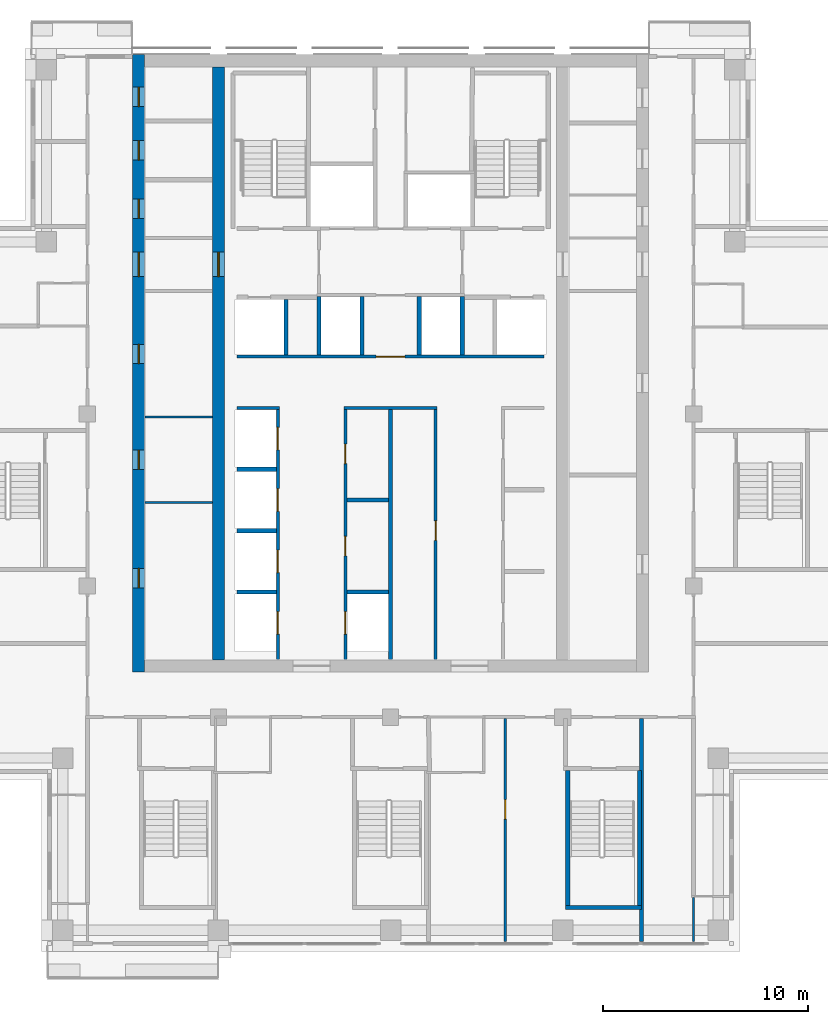
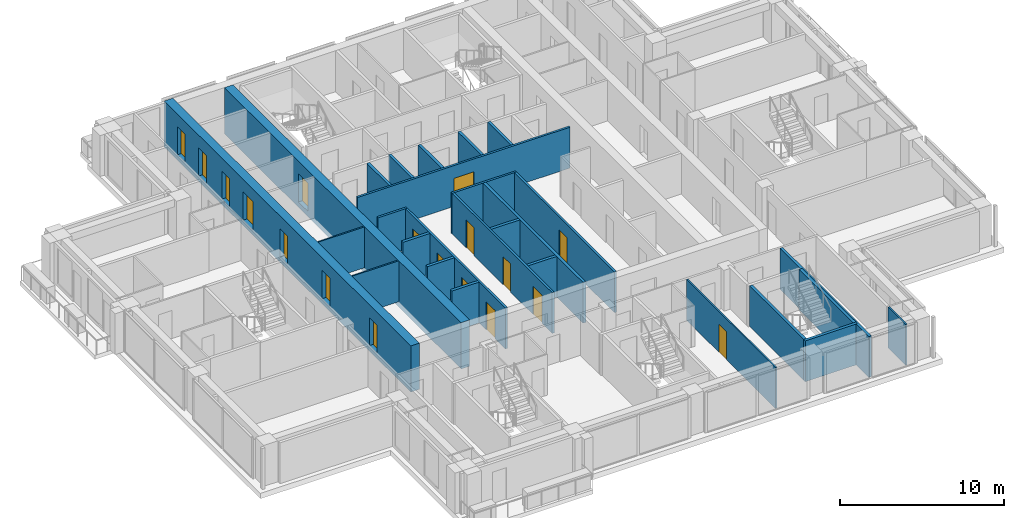
# One storey, part 9 of 16: 27 walls, 18 doors, 18 openings.
"""IFC4 building model written with IfcOpenShell, lengths in metres."""

from ifc_helpers import new_model, si_unit, direction, frame, frame_2d, origin, place, context, subcontext, project, spatial, rectangle, extrude, material, layer, layer_set, type_object, element, fill, save


model = new_model("IFC4")

# Units and contexts
model_context = context("Model", 3, precision=1e-05, world=origin(), true_north=direction((0.0, 1.0)))
body_context = subcontext(model_context, "Body", "Model", "MODEL_VIEW")
ifc_project = project(units=[si_unit("LENGTHUNIT", "METRE"), si_unit("AREAUNIT", "SQUARE_METRE"), si_unit("VOLUMEUNIT", "CUBIC_METRE"), si_unit("PLANEANGLEUNIT", "RADIAN"), si_unit("MASSUNIT", "GRAM", prefix="KILO")], contexts=[model_context])

# Site, building, storey
site_placement = place(None, origin())
site = spatial("IfcSite", under=ifc_project, at=site_placement, CompositionType="ELEMENT")
building_placement = place(site_placement, origin())
building = spatial("IfcBuilding", under=site, at=building_placement, Name="Vermilion Ogive Tower", CompositionType="ELEMENT")
storey_placement = place(building_placement, frame((0.0, 0.0, 182.449951171875)))
storey = spatial("IfcBuildingStorey", under=building, at=storey_placement, Name="L47", CompositionType="ELEMENT", Elevation=182.449951171875)

# Wall, openings, doors
ifc_material_1 = material(Name="Concrete B60", Category="concrete")
ifc_layer_1 = layer(ifc_material_1, 0.60009765625)
ifc_layer_set_1 = layer_set([ifc_layer_1], Name="Core wall 600 B60")
wall_type_1 = type_object("IfcWallType", Name="Core wall 600 B60", PredefinedType="SHEAR", material=ifc_layer_set_1)
wall_1_placement = place(storey_placement, frame((-12.300048828125, -8.39990234375, -0.39990234375), z_axis=(0.0, 0.0, 1.0), x_axis=(0.0, 1.0, 0.0)))
wall_1 = element("IfcWall", 1, at=wall_1_placement, inside=storey, type_object=wall_type_1, Name="L47-CORE-W", PredefinedType="SHEAR", context=body_context, shape_type="SweptSolid", body=[
    extrude(rectangle(XDim=30.14990234375, YDim=0.60009765625, at=frame_2d((15.074951171875, 0.0))), origin(), (0.0, 0.0, 1.0), 3.449951171875),
])
opening_1_placement = place(wall_1_placement, frame((4.112548828125, 0.0, 0.39990234375)))
opening_1 = element("IfcOpeningElement", 2, at=opening_1_placement, cuts=wall_1, Name="Opening DAD067", PredefinedType="OPENING", context=body_context, shape_type="SweptSolid", body=[
    extrude(rectangle(XDim=0.949951171875, YDim=2.10009765625, at=frame_2d((0.47509765625, 1.050048828125))), frame((0.0, 0.31005859375, 0.0), z_axis=(0.0, -1.0, 0.0), x_axis=(1.0, 0.0, 0.0)), (0.0, 0.0, 1.0), 0.6201171875),
])
opening_2_placement = place(wall_1_placement, frame((9.8896484375, 0.0, 0.39990234375)))
opening_2 = element("IfcOpeningElement", 3, at=opening_2_placement, cuts=wall_1, Name="Opening DAD068", PredefinedType="OPENING", context=body_context, shape_type="SweptSolid", body=[
    extrude(rectangle(XDim=0.949951171875, YDim=2.10009765625, at=frame_2d((0.47509765625, 1.050048828125))), frame((0.0, 0.31005859375, 0.0), z_axis=(0.0, -1.0, 0.0), x_axis=(1.0, 0.0, 0.0)), (0.0, 0.0, 1.0), 0.6201171875),
])
opening_3_placement = place(wall_1_placement, frame((15.052001953125, 0.0, 0.39990234375)))
opening_3 = element("IfcOpeningElement", 4, at=opening_3_placement, cuts=wall_1, Name="Opening DAD069", PredefinedType="OPENING", context=body_context, shape_type="SweptSolid", body=[
    extrude(rectangle(XDim=0.949951171875, YDim=2.10009765625, at=frame_2d((0.47509765625, 1.050048828125))), frame((0.0, 0.31005859375, 0.0), z_axis=(0.0, -1.0, 0.0), x_axis=(1.0, 0.0, 0.0)), (0.0, 0.0, 1.0), 0.6201171875),
])
opening_4_placement = place(wall_1_placement, frame((22.1435546875, 0.0, 0.39990234375)))
opening_4 = element("IfcOpeningElement", 5, at=opening_4_placement, cuts=wall_1, Name="Opening DAD070", PredefinedType="OPENING", context=body_context, shape_type="SweptSolid", body=[
    extrude(rectangle(XDim=0.949951171875, YDim=2.10009765625, at=frame_2d((0.47509765625, 1.050048828125))), frame((0.0, 0.31005859375, 0.0), z_axis=(0.0, -1.0, 0.0), x_axis=(1.0, 0.0, 0.0)), (0.0, 0.0, 1.0), 0.6201171875),
])
opening_5_placement = place(wall_1_placement, frame((24.998291015625, 0.0, 0.39990234375)))
opening_5 = element("IfcOpeningElement", 6, at=opening_5_placement, cuts=wall_1, Name="Opening DAD071", PredefinedType="OPENING", context=body_context, shape_type="SweptSolid", body=[
    extrude(rectangle(XDim=0.949951171875, YDim=2.10009765625, at=frame_2d((0.47509765625, 1.050048828125))), frame((0.0, 0.31005859375, 0.0), z_axis=(0.0, -1.0, 0.0), x_axis=(1.0, 0.0, 0.0)), (0.0, 0.0, 1.0), 0.6201171875),
])
opening_6_placement = place(wall_1_placement, frame((27.604736328125, 0.0, 0.39990234375)))
opening_6 = element("IfcOpeningElement", 7, at=opening_6_placement, cuts=wall_1, Name="Opening DAD072", PredefinedType="OPENING", context=body_context, shape_type="SweptSolid", body=[
    extrude(rectangle(XDim=0.949951171875, YDim=2.10009765625, at=frame_2d((0.47509765625, 1.050048828125))), frame((0.0, 0.31005859375, 0.0), z_axis=(0.0, -1.0, 0.0), x_axis=(1.0, 0.0, 0.0)), (0.0, 0.0, 1.0), 0.6201171875),
])
opening_7_placement = place(wall_1_placement, frame((19.300048828125, 0.0, 0.39990234375)))
opening_7 = element("IfcOpeningElement", 8, at=opening_7_placement, cuts=wall_1, Name="Opening DAM018", PredefinedType="OPENING", context=body_context, shape_type="SweptSolid", body=[
    extrude(rectangle(XDim=1.199951171875, YDim=2.10009765625, at=frame_2d((0.60009765625, 1.050048828125))), frame((0.0, 0.31005859375, 0.0), z_axis=(0.0, -1.0, 0.0), x_axis=(1.0, 0.0, 0.0)), (0.0, 0.0, 1.0), 0.6201171875),
])
ifc_material_2 = material(Name="Timber door leaf", Category="wood")
door_type_1 = type_object("IfcDoorType", Name="Link door 1200 x 2100 FD60S", OperationType="SINGLE_SWING_LEFT", PredefinedType="DOOR", material=ifc_material_2)
door_1_placement = place(opening_7_placement, origin())
door_1 = element("IfcDoor", 9, at=door_1_placement, inside=storey, type_object=door_type_1, Name="L47-CKW-XL", OperationType="SINGLE_SWING_LEFT", OverallHeight=2.10009765625, OverallWidth=1.199951171875, PredefinedType="DOOR", context=body_context, shape_type="SweptSolid", body=[
    extrude(rectangle(XDim=1.199951171875, YDim=2.10009765625, at=frame_2d((0.60009765625, 1.050048828125))), frame((0.0, 0.02490234375, 0.0), z_axis=(0.0, -1.0, 0.0), x_axis=(1.0, 0.0, 0.0)), (0.0, 0.0, 1.0), 0.050048828125),
])
fill(opening_7, door_1)
ifc_material_3 = material(Name="Timber door leaf", Category="wood")
door_type_2 = type_object("IfcDoorType", Name="Service door 950 x 2100 FD60", OperationType="SINGLE_SWING_LEFT", PredefinedType="DOOR", material=ifc_material_3)
door_2_placement = place(opening_1_placement, origin())
door_2 = element("IfcDoor", 10, at=door_2_placement, inside=storey, type_object=door_type_2, Name="L47-CKW-XR0", OperationType="SINGLE_SWING_LEFT", OverallHeight=2.10009765625, OverallWidth=0.949951171875, PredefinedType="DOOR", context=body_context, shape_type="SweptSolid", body=[
    extrude(rectangle(XDim=0.949951171875, YDim=2.10009765625, at=frame_2d((0.47509765625, 1.050048828125))), frame((0.0, 0.02490234375, 0.0), z_axis=(0.0, -1.0, 0.0), x_axis=(1.0, 0.0, 0.0)), (0.0, 0.0, 1.0), 0.050048828125),
])
fill(opening_1, door_2)
door_3_placement = place(opening_2_placement, origin())
door_3 = element("IfcDoor", 11, at=door_3_placement, inside=storey, type_object=door_type_2, Name="L47-CKW-XR1", OperationType="SINGLE_SWING_LEFT", OverallHeight=2.10009765625, OverallWidth=0.949951171875, PredefinedType="DOOR", context=body_context, shape_type="SweptSolid", body=[
    extrude(rectangle(XDim=0.949951171875, YDim=2.10009765625, at=frame_2d((0.47509765625, 1.050048828125))), frame((0.0, 0.02490234375, 0.0), z_axis=(0.0, -1.0, 0.0), x_axis=(1.0, 0.0, 0.0)), (0.0, 0.0, 1.0), 0.050048828125),
])
fill(opening_2, door_3)
door_4_placement = place(opening_3_placement, origin())
door_4 = element("IfcDoor", 12, at=door_4_placement, inside=storey, type_object=door_type_2, Name="L47-CKW-XR2", OperationType="SINGLE_SWING_LEFT", OverallHeight=2.10009765625, OverallWidth=0.949951171875, PredefinedType="DOOR", context=body_context, shape_type="SweptSolid", body=[
    extrude(rectangle(XDim=0.949951171875, YDim=2.10009765625, at=frame_2d((0.47509765625, 1.050048828125))), frame((0.0, 0.02490234375, 0.0), z_axis=(0.0, -1.0, 0.0), x_axis=(1.0, 0.0, 0.0)), (0.0, 0.0, 1.0), 0.050048828125),
])
fill(opening_3, door_4)
door_5_placement = place(opening_4_placement, origin())
door_5 = element("IfcDoor", 13, at=door_5_placement, inside=storey, type_object=door_type_2, Name="L47-CKW-XR3", OperationType="SINGLE_SWING_LEFT", OverallHeight=2.10009765625, OverallWidth=0.949951171875, PredefinedType="DOOR", context=body_context, shape_type="SweptSolid", body=[
    extrude(rectangle(XDim=0.949951171875, YDim=2.10009765625, at=frame_2d((0.47509765625, 1.050048828125))), frame((0.0, 0.02490234375, 0.0), z_axis=(0.0, -1.0, 0.0), x_axis=(1.0, 0.0, 0.0)), (0.0, 0.0, 1.0), 0.050048828125),
])
fill(opening_4, door_5)
door_6_placement = place(opening_5_placement, origin())
door_6 = element("IfcDoor", 14, at=door_6_placement, inside=storey, type_object=door_type_2, Name="L47-CKW-XR4", OperationType="SINGLE_SWING_LEFT", OverallHeight=2.10009765625, OverallWidth=0.949951171875, PredefinedType="DOOR", context=body_context, shape_type="SweptSolid", body=[
    extrude(rectangle(XDim=0.949951171875, YDim=2.10009765625, at=frame_2d((0.47509765625, 1.050048828125))), frame((0.0, 0.02490234375, 0.0), z_axis=(0.0, -1.0, 0.0), x_axis=(1.0, 0.0, 0.0)), (0.0, 0.0, 1.0), 0.050048828125),
])
fill(opening_5, door_6)
door_7_placement = place(opening_6_placement, origin())
door_7 = element("IfcDoor", 15, at=door_7_placement, inside=storey, type_object=door_type_2, Name="L47-CKW-XR5", OperationType="SINGLE_SWING_LEFT", OverallHeight=2.10009765625, OverallWidth=0.949951171875, PredefinedType="DOOR", context=body_context, shape_type="SweptSolid", body=[
    extrude(rectangle(XDim=0.949951171875, YDim=2.10009765625, at=frame_2d((0.47509765625, 1.050048828125))), frame((0.0, 0.02490234375, 0.0), z_axis=(0.0, -1.0, 0.0), x_axis=(1.0, 0.0, 0.0)), (0.0, 0.0, 1.0), 0.050048828125),
])
fill(opening_6, door_7)

# Wall, opening, door
wall_2_placement = place(storey_placement, frame((-8.39990234375, -7.800048828125, -0.39990234375), z_axis=(0.0, 0.0, 1.0), x_axis=(0.0, 1.0, 0.0)))
wall_2 = element("IfcWall", 16, at=wall_2_placement, inside=storey, type_object=wall_type_1, Name="L47-CORE-WEB1", PredefinedType="SHEAR", context=body_context, shape_type="SweptSolid", body=[
    extrude(rectangle(XDim=28.949951171875, YDim=0.60009765625, at=frame_2d((14.47509765625, 0.0))), origin(), (0.0, 0.0, 1.0), 3.449951171875),
])
opening_8_placement = place(wall_2_placement, frame((18.699951171875, 0.0, 0.39990234375)))
opening_8 = element("IfcOpeningElement", 17, at=opening_8_placement, cuts=wall_2, Name="Opening DAP013", PredefinedType="OPENING", context=body_context, shape_type="SweptSolid", body=[
    extrude(rectangle(XDim=1.199951171875, YDim=2.10009765625, at=frame_2d((0.60009765625, 1.050048828125))), frame((0.0, 0.31005859375, 0.0), z_axis=(0.0, -1.0, 0.0), x_axis=(1.0, 0.0, 0.0)), (0.0, 0.0, 1.0), 0.6201171875),
])
door_8_placement = place(opening_8_placement, origin())
door_8 = element("IfcDoor", 18, at=door_8_placement, inside=storey, type_object=door_type_1, Name="L47-CKW-XW", OperationType="SINGLE_SWING_LEFT", OverallHeight=2.10009765625, OverallWidth=1.199951171875, PredefinedType="DOOR", context=body_context, shape_type="SweptSolid", body=[
    extrude(rectangle(XDim=1.199951171875, YDim=2.10009765625, at=frame_2d((0.60009765625, 1.050048828125))), frame((0.0, 0.02490234375, 0.0), z_axis=(0.0, -1.0, 0.0), x_axis=(1.0, 0.0, 0.0)), (0.0, 0.0, 1.0), 0.050048828125),
])
fill(opening_8, door_8)

# Walls
ifc_material_4 = material(Name="Gypsum board partition on steel studs", Category="steel")
ifc_layer_2 = layer(ifc_material_4, 0.10009765625)
ifc_layer_set_2 = layer_set([ifc_layer_2], Name="Partition 100 bath")
wall_type_2 = type_object("IfcWallType", Name="Partition 100 bath", PredefinedType="PARTITIONING", material=ifc_layer_set_2)
wall_3_placement = place(storey_placement, frame((14.800048828125, -21.550048828125, 0.0), z_axis=(0.0, 0.0, 1.0), x_axis=(0.0, 1.0, 0.0)))
element("IfcWall", 19, at=wall_3_placement, inside=storey, type_object=wall_type_2, Name="L47-W-W070", PredefinedType="PARTITIONING", context=body_context, shape_type="SweptSolid", body=[
    extrude(rectangle(XDim=2.150146484375, YDim=0.10009765625, at=frame_2d((1.0751953125, 0.0))), origin(), (0.0, 0.0, 1.0), 3.050048828125),
])
for number, where, z_axis, x_axis, name in (
    (20, (-11.9990234375, -0.125, 0.0), (0.0, 0.0, 1.0), (1.0, 0.0, 0.0), "L47-CKW-W-W001"),
    (21, (-11.9990234375, 4.053955078125, 0.0), (0.0, 0.0, 1.0), (1.0, 0.0, 0.0), "L47-CKW-W-W002"),
):
    element("IfcWall", number, at=place(storey_placement, frame(where, z_axis=z_axis, x_axis=x_axis)), inside=storey, type_object=wall_type_2, Name=name, PredefinedType="PARTITIONING", context=body_context, shape_type="SweptSolid", body=[
        extrude(rectangle(XDim=3.298095703125, YDim=0.10009765625, at=frame_2d((1.64892578125, 0.0))), origin(), (0.0, 0.0, 1.0), 3.050048828125),
    ])

# Wall, opening, door
ifc_material_5 = material(Name="Gypsum board partition on steel studs", Category="steel")
ifc_layer_3 = layer(ifc_material_5, 0.10009765625)
ifc_layer_set_3 = layer_set([ifc_layer_3], Name="Partition 100 inner")
wall_type_3 = type_object("IfcWallType", Name="Partition 100 inner", PredefinedType="PARTITIONING", material=ifc_layer_set_3)
wall_4_placement = place(storey_placement, frame((5.60009765625, -21.550048828125, 0.0), z_axis=(0.0, 0.0, 1.0), x_axis=(0.0, 1.0, 0.0)))
wall_4 = element("IfcWall", 22, at=wall_4_placement, inside=storey, type_object=wall_type_3, Name="L47-W-W065", PredefinedType="PARTITIONING", context=body_context, shape_type="SweptSolid", body=[
    extrude(rectangle(XDim=10.875, YDim=0.10009765625, at=frame_2d((5.4375, 0.0))), origin(), (0.0, 0.0, 1.0), 3.050048828125),
])
opening_9_placement = place(wall_4_placement, frame((5.97509765625, 0.0, 0.0)))
opening_9 = element("IfcOpeningElement", 23, at=opening_9_placement, cuts=wall_4, Name="Opening D4G1015", PredefinedType="OPENING", context=body_context, shape_type="SweptSolid", body=[
    extrude(rectangle(XDim=0.949951171875, YDim=2.10009765625, at=frame_2d((0.47509765625, 1.050048828125))), frame((0.0, 0.06005859375, 0.0), z_axis=(0.0, -1.0, 0.0), x_axis=(1.0, 0.0, 0.0)), (0.0, 0.0, 1.0), 0.1201171875),
])
ifc_material_6 = material(Name="Timber door leaf", Category="wood")
door_type_3 = type_object("IfcDoorType", Name="Inner door 950 x 2100 FD30", OperationType="SINGLE_SWING_LEFT", PredefinedType="DOOR", material=ifc_material_6)
door_9_placement = place(opening_9_placement, origin())
door_9 = element("IfcDoor", 24, at=door_9_placement, inside=storey, type_object=door_type_3, Name="L47-D-D015", OperationType="SINGLE_SWING_RIGHT", OverallHeight=2.10009765625, OverallWidth=0.949951171875, PredefinedType="DOOR", context=body_context, shape_type="SweptSolid", body=[
    extrude(rectangle(XDim=0.949951171875, YDim=2.10009765625, at=frame_2d((0.47509765625, 1.050048828125))), frame((0.0, 0.02490234375, 0.0), z_axis=(0.0, -1.0, 0.0), x_axis=(1.0, 0.0, 0.0)), (0.0, 0.0, 1.0), 0.050048828125),
])
fill(opening_9, door_9)

# Walls
ifc_material_7 = material(Name="Gypsum board partition on steel studs", Category="steel")
ifc_layer_4 = layer(ifc_material_7, 0.14990234375)
ifc_layer_set_4 = layer_set([ifc_layer_4], Name="Partition 150 corridor")
wall_type_4 = type_object("IfcWallType", Name="Partition 150 corridor", PredefinedType="PARTITIONING", material=ifc_layer_set_4)
wall_5_placement = place(storey_placement, frame((-7.5, 4.5, 0.0), z_axis=(0.0, 0.0, 1.0), x_axis=(1.0, 0.0, 0.0)))
element("IfcWall", 25, at=wall_5_placement, inside=storey, type_object=wall_type_4, Name="L47-CK-W-W008", PredefinedType="PARTITIONING", context=body_context, shape_type="SweptSolid", body=[
    extrude(rectangle(XDim=2.074951171875, YDim=0.14990234375, at=frame_2d((1.03759765625, 0.0))), origin(), (0.0, 0.0, 1.0), 3.050048828125),
])
wall_6_placement = place(storey_placement, frame((-2.27490234375, 4.5, 0.0), z_axis=(0.0, 0.0, 1.0), x_axis=(1.0, 0.0, 0.0)))
element("IfcWall", 26, at=wall_6_placement, inside=storey, type_object=wall_type_4, Name="L47-CK-W-W009", PredefinedType="PARTITIONING", context=body_context, shape_type="SweptSolid", body=[
    extrude(rectangle(XDim=4.5498046875, YDim=0.14990234375, at=frame_2d((2.27490234375, 0.0))), origin(), (0.0, 0.0, 1.0), 3.050048828125),
])

# Wall, opening, door
wall_7_placement = place(storey_placement, frame((-7.5, 7.0, 0.0), z_axis=(0.0, 0.0, 1.0), x_axis=(1.0, 0.0, 0.0)))
wall_7 = element("IfcWall", 27, at=wall_7_placement, inside=storey, type_object=wall_type_4, Name="L47-CK-W-W011", PredefinedType="PARTITIONING", context=body_context, shape_type="SweptSolid", body=[
    extrude(rectangle(XDim=15.0, YDim=0.14990234375, at=frame_2d((7.5, 0.0))), origin(), (0.0, 0.0, 1.0), 3.050048828125),
])
opening_10_placement = place(wall_7_placement, frame((6.800048828125, 0.0, 0.0)))
opening_10 = element("IfcOpeningElement", 28, at=opening_10_placement, cuts=wall_7, Name="Opening DAA397", PredefinedType="OPENING", context=body_context, shape_type="SweptSolid", body=[
    extrude(rectangle(XDim=1.39990234375, YDim=2.10009765625, at=frame_2d((0.699951171875, 1.050048828125))), frame((0.0, 0.0849609375, 0.0), z_axis=(0.0, -1.0, 0.0), x_axis=(1.0, 0.0, 0.0)), (0.0, 0.0, 1.0), 0.169921875),
])
ifc_material_8 = material(Name="Timber door leaf", Category="wood")
door_type_4 = type_object("IfcDoorType", Name="Lobby door 1400 x 2100 FD60S", OperationType="SINGLE_SWING_LEFT", PredefinedType="DOOR", material=ifc_material_8)
door_10_placement = place(opening_10_placement, origin())
door_10 = element("IfcDoor", 29, at=door_10_placement, inside=storey, type_object=door_type_4, Name="L47-CK-D-D016", OperationType="SINGLE_SWING_RIGHT", OverallHeight=2.10009765625, OverallWidth=1.39990234375, PredefinedType="DOOR", context=body_context, shape_type="SweptSolid", body=[
    extrude(rectangle(XDim=1.39990234375, YDim=2.10009765625, at=frame_2d((0.699951171875, 1.050048828125))), frame((0.0, 0.02490234375, 0.0), z_axis=(0.0, -1.0, 0.0), x_axis=(1.0, 0.0, 0.0)), (0.0, 0.0, 1.0), 0.050048828125),
])
fill(opening_10, door_10)

# Wall, openings, doors
wall_8_placement = place(storey_placement, frame((-5.5, -7.799072265625, 0.0), z_axis=(0.0, 0.0, 1.0), x_axis=(0.0, 1.0, 0.0)))
wall_8 = element("IfcWall", 30, at=wall_8_placement, inside=storey, type_object=wall_type_4, Name="L47-CK-W-W020", PredefinedType="PARTITIONING", context=body_context, shape_type="SweptSolid", body=[
    extrude(rectangle(XDim=12.22412109375, YDim=0.14990234375, at=frame_2d((6.112060546875, 0.0))), origin(), (0.0, 0.0, 1.0), 3.050048828125),
])
opening_11_placement = place(wall_8_placement, frame((1.2490234375, 0.0, 0.0)))
opening_11 = element("IfcOpeningElement", 31, at=opening_11_placement, cuts=wall_8, Name="Opening DAA410", PredefinedType="OPENING", context=body_context, shape_type="SweptSolid", body=[
    extrude(rectangle(XDim=1.10009765625, YDim=2.10009765625, at=frame_2d((0.550048828125, 1.050048828125))), frame((0.0, 0.0849609375, 0.0), z_axis=(0.0, -1.0, 0.0), x_axis=(1.0, 0.0, 0.0)), (0.0, 0.0, 1.0), 0.169921875),
])
opening_12_placement = place(wall_8_placement, frame((4.2490234375, 0.0, 0.0)))
opening_12 = element("IfcOpeningElement", 32, at=opening_12_placement, cuts=wall_8, Name="Opening DAA411", PredefinedType="OPENING", context=body_context, shape_type="SweptSolid", body=[
    extrude(rectangle(XDim=1.10009765625, YDim=2.10009765625, at=frame_2d((0.550048828125, 1.050048828125))), frame((0.0, 0.0849609375, 0.0), z_axis=(0.0, -1.0, 0.0), x_axis=(1.0, 0.0, 0.0)), (0.0, 0.0, 1.0), 0.169921875),
])
opening_13_placement = place(wall_8_placement, frame((7.2490234375, 0.0, 0.0)))
opening_13 = element("IfcOpeningElement", 33, at=opening_13_placement, cuts=wall_8, Name="Opening DAA412", PredefinedType="OPENING", context=body_context, shape_type="SweptSolid", body=[
    extrude(rectangle(XDim=1.10009765625, YDim=2.10009765625, at=frame_2d((0.550048828125, 1.050048828125))), frame((0.0, 0.0849609375, 0.0), z_axis=(0.0, -1.0, 0.0), x_axis=(1.0, 0.0, 0.0)), (0.0, 0.0, 1.0), 0.169921875),
])
opening_14_placement = place(wall_8_placement, frame((10.2490234375, 0.0, 0.0)))
opening_14 = element("IfcOpeningElement", 34, at=opening_14_placement, cuts=wall_8, Name="Opening DAA413", PredefinedType="OPENING", context=body_context, shape_type="SweptSolid", body=[
    extrude(rectangle(XDim=1.10009765625, YDim=2.10009765625, at=frame_2d((0.550048828125, 1.050048828125))), frame((0.0, 0.0849609375, 0.0), z_axis=(0.0, -1.0, 0.0), x_axis=(1.0, 0.0, 0.0)), (0.0, 0.0, 1.0), 0.169921875),
])
ifc_material_9 = material(Name="Stainless steel", Category="steel")
door_type_5 = type_object("IfcDoorType", Name="Lift landing door 1100 x 2100", OperationType="SLIDING_TO_LEFT", PredefinedType="DOOR", material=ifc_material_9)
door_11_placement = place(opening_11_placement, origin())
door_11 = element("IfcDoor", 35, at=door_11_placement, inside=storey, type_object=door_type_5, Name="L47-CK-D-D001", OperationType="SLIDING_TO_LEFT", OverallHeight=2.10009765625, OverallWidth=1.10009765625, PredefinedType="DOOR", context=body_context, shape_type="SweptSolid", body=[
    extrude(rectangle(XDim=1.10009765625, YDim=2.10009765625, at=frame_2d((0.550048828125, 1.050048828125))), frame((0.0, 0.02490234375, 0.0), z_axis=(0.0, -1.0, 0.0), x_axis=(1.0, 0.0, 0.0)), (0.0, 0.0, 1.0), 0.050048828125),
])
fill(opening_11, door_11)
door_12_placement = place(opening_12_placement, origin())
door_12 = element("IfcDoor", 36, at=door_12_placement, inside=storey, type_object=door_type_5, Name="L47-CK-D-D002", OperationType="SLIDING_TO_LEFT", OverallHeight=2.10009765625, OverallWidth=1.10009765625, PredefinedType="DOOR", context=body_context, shape_type="SweptSolid", body=[
    extrude(rectangle(XDim=1.10009765625, YDim=2.10009765625, at=frame_2d((0.550048828125, 1.050048828125))), frame((0.0, 0.02490234375, 0.0), z_axis=(0.0, -1.0, 0.0), x_axis=(1.0, 0.0, 0.0)), (0.0, 0.0, 1.0), 0.050048828125),
])
fill(opening_12, door_12)
door_13_placement = place(opening_13_placement, origin())
door_13 = element("IfcDoor", 37, at=door_13_placement, inside=storey, type_object=door_type_5, Name="L47-CK-D-D003", OperationType="SLIDING_TO_LEFT", OverallHeight=2.10009765625, OverallWidth=1.10009765625, PredefinedType="DOOR", context=body_context, shape_type="SweptSolid", body=[
    extrude(rectangle(XDim=1.10009765625, YDim=2.10009765625, at=frame_2d((0.550048828125, 1.050048828125))), frame((0.0, 0.02490234375, 0.0), z_axis=(0.0, -1.0, 0.0), x_axis=(1.0, 0.0, 0.0)), (0.0, 0.0, 1.0), 0.050048828125),
])
fill(opening_13, door_13)
door_14_placement = place(opening_14_placement, origin())
door_14 = element("IfcDoor", 38, at=door_14_placement, inside=storey, type_object=door_type_5, Name="L47-CK-D-D004", OperationType="SLIDING_TO_LEFT", OverallHeight=2.10009765625, OverallWidth=1.10009765625, PredefinedType="DOOR", context=body_context, shape_type="SweptSolid", body=[
    extrude(rectangle(XDim=1.10009765625, YDim=2.10009765625, at=frame_2d((0.550048828125, 1.050048828125))), frame((0.0, 0.02490234375, 0.0), z_axis=(0.0, -1.0, 0.0), x_axis=(1.0, 0.0, 0.0)), (0.0, 0.0, 1.0), 0.050048828125),
])
fill(opening_14, door_14)

wall_9_placement = place(storey_placement, frame((-2.199951171875, -7.799072265625, 0.0), z_axis=(0.0, 0.0, 1.0), x_axis=(0.0, 1.0, 0.0)))
wall_9 = element("IfcWall", 39, at=wall_9_placement, inside=storey, type_object=wall_type_4, Name="L47-CK-W-W025", PredefinedType="PARTITIONING", context=body_context, shape_type="SweptSolid", body=[
    extrude(rectangle(XDim=12.22412109375, YDim=0.14990234375, at=frame_2d((6.112060546875, 0.0))), origin(), (0.0, 0.0, 1.0), 3.050048828125),
])
opening_15_placement = place(wall_9_placement, frame((1.2490234375, 0.0, 0.0)))
opening_15 = element("IfcOpeningElement", 40, at=opening_15_placement, cuts=wall_9, Name="Opening DAA414", PredefinedType="OPENING", context=body_context, shape_type="SweptSolid", body=[
    extrude(rectangle(XDim=1.10009765625, YDim=2.10009765625, at=frame_2d((0.550048828125, 1.050048828125))), frame((0.0, 0.0849609375, 0.0), z_axis=(0.0, -1.0, 0.0), x_axis=(1.0, 0.0, 0.0)), (0.0, 0.0, 1.0), 0.169921875),
])
opening_16_placement = place(wall_9_placement, frame((5.073974609375, 0.0, 0.0)))
opening_16 = element("IfcOpeningElement", 41, at=opening_16_placement, cuts=wall_9, Name="Opening DAA400", PredefinedType="OPENING", context=body_context, shape_type="SweptSolid", body=[
    extrude(rectangle(XDim=0.949951171875, YDim=2.10009765625, at=frame_2d((0.47509765625, 1.050048828125))), frame((0.0, 0.0849609375, 0.0), z_axis=(0.0, -1.0, 0.0), x_axis=(1.0, 0.0, 0.0)), (0.0, 0.0, 1.0), 0.169921875),
])
opening_17_placement = place(wall_9_placement, frame((9.573974609375, 0.0, 0.0)))
opening_17 = element("IfcOpeningElement", 42, at=opening_17_placement, cuts=wall_9, Name="Opening DAA401", PredefinedType="OPENING", context=body_context, shape_type="SweptSolid", body=[
    extrude(rectangle(XDim=0.949951171875, YDim=2.10009765625, at=frame_2d((0.47509765625, 1.050048828125))), frame((0.0, 0.0849609375, 0.0), z_axis=(0.0, -1.0, 0.0), x_axis=(1.0, 0.0, 0.0)), (0.0, 0.0, 1.0), 0.169921875),
])
door_15_placement = place(opening_15_placement, origin())
door_15 = element("IfcDoor", 43, at=door_15_placement, inside=storey, type_object=door_type_5, Name="L47-CK-D-D005", OperationType="SLIDING_TO_LEFT", OverallHeight=2.10009765625, OverallWidth=1.10009765625, PredefinedType="DOOR", context=body_context, shape_type="SweptSolid", body=[
    extrude(rectangle(XDim=1.10009765625, YDim=2.10009765625, at=frame_2d((0.550048828125, 1.050048828125))), frame((0.0, 0.02490234375, 0.0), z_axis=(0.0, -1.0, 0.0), x_axis=(1.0, 0.0, 0.0)), (0.0, 0.0, 1.0), 0.050048828125),
])
fill(opening_15, door_15)
door_16_placement = place(opening_16_placement, origin())
door_16 = element("IfcDoor", 44, at=door_16_placement, inside=storey, type_object=door_type_2, Name="L47-CK-D-D006", OperationType="SINGLE_SWING_LEFT", OverallHeight=2.10009765625, OverallWidth=0.949951171875, PredefinedType="DOOR", context=body_context, shape_type="SweptSolid", body=[
    extrude(rectangle(XDim=0.949951171875, YDim=2.10009765625, at=frame_2d((0.47509765625, 1.050048828125))), frame((0.0, 0.02490234375, 0.0), z_axis=(0.0, -1.0, 0.0), x_axis=(1.0, 0.0, 0.0)), (0.0, 0.0, 1.0), 0.050048828125),
])
fill(opening_16, door_16)
door_17_placement = place(opening_17_placement, origin())
door_17 = element("IfcDoor", 45, at=door_17_placement, inside=storey, type_object=door_type_2, Name="L47-CK-D-D007", OperationType="SINGLE_SWING_RIGHT", OverallHeight=2.10009765625, OverallWidth=0.949951171875, PredefinedType="DOOR", context=body_context, shape_type="SweptSolid", body=[
    extrude(rectangle(XDim=0.949951171875, YDim=2.10009765625, at=frame_2d((0.47509765625, 1.050048828125))), frame((0.0, 0.02490234375, 0.0), z_axis=(0.0, -1.0, 0.0), x_axis=(1.0, 0.0, 0.0)), (0.0, 0.0, 1.0), 0.050048828125),
])
fill(opening_17, door_17)

# Wall, opening, door
wall_10_placement = place(storey_placement, frame((2.199951171875, -7.799072265625, 0.0), z_axis=(0.0, 0.0, 1.0), x_axis=(0.0, 1.0, 0.0)))
wall_10 = element("IfcWall", 46, at=wall_10_placement, inside=storey, type_object=wall_type_4, Name="L47-CK-W-W032", PredefinedType="PARTITIONING", context=body_context, shape_type="SweptSolid", body=[
    extrude(rectangle(XDim=12.22412109375, YDim=0.14990234375, at=frame_2d((6.112060546875, 0.0))), origin(), (0.0, 0.0, 1.0), 3.050048828125),
])
opening_18_placement = place(wall_10_placement, frame((5.823974609375, 0.0, 0.0)))
opening_18 = element("IfcOpeningElement", 47, at=opening_18_placement, cuts=wall_10, Name="Opening DAA402", PredefinedType="OPENING", context=body_context, shape_type="SweptSolid", body=[
    extrude(rectangle(XDim=0.949951171875, YDim=2.10009765625, at=frame_2d((0.47509765625, 1.050048828125))), frame((0.0, 0.0849609375, 0.0), z_axis=(0.0, -1.0, 0.0), x_axis=(1.0, 0.0, 0.0)), (0.0, 0.0, 1.0), 0.169921875),
])
door_18_placement = place(opening_18_placement, origin())
door_18 = element("IfcDoor", 48, at=door_18_placement, inside=storey, type_object=door_type_2, Name="L47-CK-D-D008", OperationType="SINGLE_SWING_RIGHT", OverallHeight=2.10009765625, OverallWidth=0.949951171875, PredefinedType="DOOR", context=body_context, shape_type="SweptSolid", body=[
    extrude(rectangle(XDim=0.949951171875, YDim=2.10009765625, at=frame_2d((0.47509765625, 1.050048828125))), frame((0.0, 0.02490234375, 0.0), z_axis=(0.0, -1.0, 0.0), x_axis=(1.0, 0.0, 0.0)), (0.0, 0.0, 1.0), 0.050048828125),
])
fill(opening_18, door_18)

# Walls
ifc_material_10 = material(Name="Gypsum board partition on steel studs", Category="steel")
ifc_layer_5 = layer(ifc_material_10, 0.199951171875)
ifc_layer_set_5 = layer_set([ifc_layer_5], Name="Partition 200 party")
wall_type_5 = type_object("IfcWallType", Name="Partition 200 party", PredefinedType="PARTITIONING", material=ifc_layer_set_5)
wall_11_placement = place(storey_placement, frame((-7.5, -4.5, 0.0), z_axis=(0.0, 0.0, 1.0), x_axis=(1.0, 0.0, 0.0)))
element("IfcWall", 49, at=wall_11_placement, inside=storey, type_object=wall_type_5, Name="L47-CK-W-W001", PredefinedType="PARTITIONING", context=body_context, shape_type="SweptSolid", body=[
    extrude(rectangle(XDim=1.925048828125, YDim=0.199951171875, at=frame_2d((0.96240234375, 0.0))), origin(), (0.0, 0.0, 1.0), 3.050048828125),
])
wall_12_placement = place(storey_placement, frame((-2.125, -4.5, 0.0), z_axis=(0.0, 0.0, 1.0), x_axis=(1.0, 0.0, 0.0)))
element("IfcWall", 50, at=wall_12_placement, inside=storey, type_object=wall_type_5, Name="L47-CK-W-W002", PredefinedType="PARTITIONING", context=body_context, shape_type="SweptSolid", body=[
    extrude(rectangle(XDim=2.02490234375, YDim=0.199951171875, at=frame_2d((1.012451171875, 0.0))), origin(), (0.0, 0.0, 1.0), 3.050048828125),
])
wall_13_placement = place(storey_placement, frame((-7.5, -1.5, 0.0), z_axis=(0.0, 0.0, 1.0), x_axis=(1.0, 0.0, 0.0)))
element("IfcWall", 51, at=wall_13_placement, inside=storey, type_object=wall_type_5, Name="L47-CK-W-W004", PredefinedType="PARTITIONING", context=body_context, shape_type="SweptSolid", body=[
    extrude(rectangle(XDim=1.925048828125, YDim=0.199951171875, at=frame_2d((0.96240234375, 0.0))), origin(), (0.0, 0.0, 1.0), 3.050048828125),
])
wall_14_placement = place(storey_placement, frame((-2.125, 0.0, 0.0), z_axis=(0.0, 0.0, 1.0), x_axis=(1.0, 0.0, 0.0)))
element("IfcWall", 52, at=wall_14_placement, inside=storey, type_object=wall_type_5, Name="L47-CK-W-W005", PredefinedType="PARTITIONING", context=body_context, shape_type="SweptSolid", body=[
    extrude(rectangle(XDim=2.02490234375, YDim=0.199951171875, at=frame_2d((1.012451171875, 0.0))), origin(), (0.0, 0.0, 1.0), 3.050048828125),
])
wall_15_placement = place(storey_placement, frame((-7.5, 1.5, 0.0), z_axis=(0.0, 0.0, 1.0), x_axis=(1.0, 0.0, 0.0)))
element("IfcWall", 53, at=wall_15_placement, inside=storey, type_object=wall_type_5, Name="L47-CK-W-W007", PredefinedType="PARTITIONING", context=body_context, shape_type="SweptSolid", body=[
    extrude(rectangle(XDim=1.925048828125, YDim=0.199951171875, at=frame_2d((0.96240234375, 0.0))), origin(), (0.0, 0.0, 1.0), 3.050048828125),
])
wall_16_placement = place(storey_placement, frame((-5.10009765625, 7.074951171875, 0.0), z_axis=(0.0, 0.0, 1.0), x_axis=(0.0, 1.0, 0.0)))
element("IfcWall", 54, at=wall_16_placement, inside=storey, type_object=wall_type_5, Name="L47-CK-W-W021", PredefinedType="PARTITIONING", context=body_context, shape_type="SweptSolid", body=[
    extrude(rectangle(XDim=2.72509765625, YDim=0.199951171875, at=frame_2d((1.362548828125, 0.0))), origin(), (0.0, 0.0, 1.0), 3.050048828125),
])
for number, where, z_axis, x_axis, name in (
    (55, (-3.5, 7.074951171875, 0.0), (0.0, 0.0, 1.0), (0.0, 1.0, 0.0), "L47-CK-W-W023"),
    (56, (-1.39990234375, 7.074951171875, 0.0), (0.0, 0.0, 1.0), (0.0, 1.0, 0.0), "L47-CK-W-W026"),
):
    element("IfcWall", number, at=place(storey_placement, frame(where, z_axis=z_axis, x_axis=x_axis)), inside=storey, type_object=wall_type_5, Name=name, PredefinedType="PARTITIONING", context=body_context, shape_type="SweptSolid", body=[
        extrude(rectangle(XDim=2.85009765625, YDim=0.199951171875, at=frame_2d((1.425048828125, 0.0))), origin(), (0.0, 0.0, 1.0), 3.050048828125),
    ])
wall_17_placement = place(storey_placement, frame((0.0, -7.799072265625, 0.0), z_axis=(0.0, 0.0, 1.0), x_axis=(0.0, 1.0, 0.0)))
element("IfcWall", 57, at=wall_17_placement, inside=storey, type_object=wall_type_5, Name="L47-CK-W-W028", PredefinedType="PARTITIONING", context=body_context, shape_type="SweptSolid", body=[
    extrude(rectangle(XDim=12.22412109375, YDim=0.199951171875, at=frame_2d((6.112060546875, 0.0))), origin(), (0.0, 0.0, 1.0), 3.050048828125),
])
for number, where, z_axis, x_axis, name in (
    (58, (1.39990234375, 7.074951171875, 0.0), (0.0, 0.0, 1.0), (0.0, 1.0, 0.0), "L47-CK-W-W031"),
    (59, (3.5, 7.074951171875, 0.0), (0.0, 0.0, 1.0), (0.0, 1.0, 0.0), "L47-CK-W-W033"),
):
    element("IfcWall", number, at=place(storey_placement, frame(where, z_axis=z_axis, x_axis=x_axis)), inside=storey, type_object=wall_type_5, Name=name, PredefinedType="PARTITIONING", context=body_context, shape_type="SweptSolid", body=[
        extrude(rectangle(XDim=2.85009765625, YDim=0.199951171875, at=frame_2d((1.425048828125, 0.0))), origin(), (0.0, 0.0, 1.0), 3.050048828125),
    ])
ifc_material_11 = material(Name="Concrete B60", Category="concrete")
ifc_layer_6 = layer(ifc_material_11, 0.199951171875)
ifc_layer_set_6 = layer_set([ifc_layer_6], Name="Stair shaft wall 200 Concrete B60")
wall_type_6 = type_object("IfcWallType", Name="Stair shaft wall 200 Concrete B60", PredefinedType="SOLIDWALL", material=ifc_layer_set_6)
wall_18_placement = place(storey_placement, frame((8.552001953125, -19.89990234375, 0.0), z_axis=(0.0, 0.0, 1.0), x_axis=(1.0, 0.0, 0.0)))
element("IfcWall", 60, at=wall_18_placement, inside=storey, type_object=wall_type_6, Name="L47-W-W004", PredefinedType="SOLIDWALL", context=body_context, shape_type="SweptSolid", body=[
    extrude(rectangle(XDim=3.696044921875, YDim=0.199951171875, at=frame_2d((1.84814453125, 0.0))), origin(), (0.0, 0.0, 1.0), 3.050048828125),
])
for number, where, z_axis, x_axis, name in (
    (61, (8.64990234375, -19.798095703125, 0.0), (0.0, 0.0, 1.0), (0.0, 1.0, 0.0), "L47-W-W067"),
    (62, (12.14990234375, -19.798095703125, 0.0), (0.0, 0.0, 1.0), (0.0, 1.0, 0.0), "L47-W-W068"),
):
    element("IfcWall", number, at=place(storey_placement, frame(where, z_axis=z_axis, x_axis=x_axis)), inside=storey, type_object=wall_type_6, Name=name, PredefinedType="SOLIDWALL", context=body_context, shape_type="SweptSolid", body=[
        extrude(rectangle(XDim=6.59619140625, YDim=0.199951171875, at=frame_2d((3.298095703125, 0.0))), origin(), (0.0, 0.0, 1.0), 3.050048828125),
    ])
wall_19_placement = place(storey_placement, frame((12.25, -21.550048828125, 0.0), z_axis=(0.0, 0.0, 1.0), x_axis=(0.0, 1.0, 0.0)))
element("IfcWall", 63, at=wall_19_placement, inside=storey, type_object=wall_type_6, Name="L47-W-W069-A", PredefinedType="SOLIDWALL", context=body_context, shape_type="SweptSolid", body=[
    extrude(rectangle(XDim=10.875, YDim=0.199951171875, at=frame_2d((5.4375, 0.0))), origin(), (0.0, 0.0, 1.0), 3.050048828125),
])

save(model, "model.ifc")
